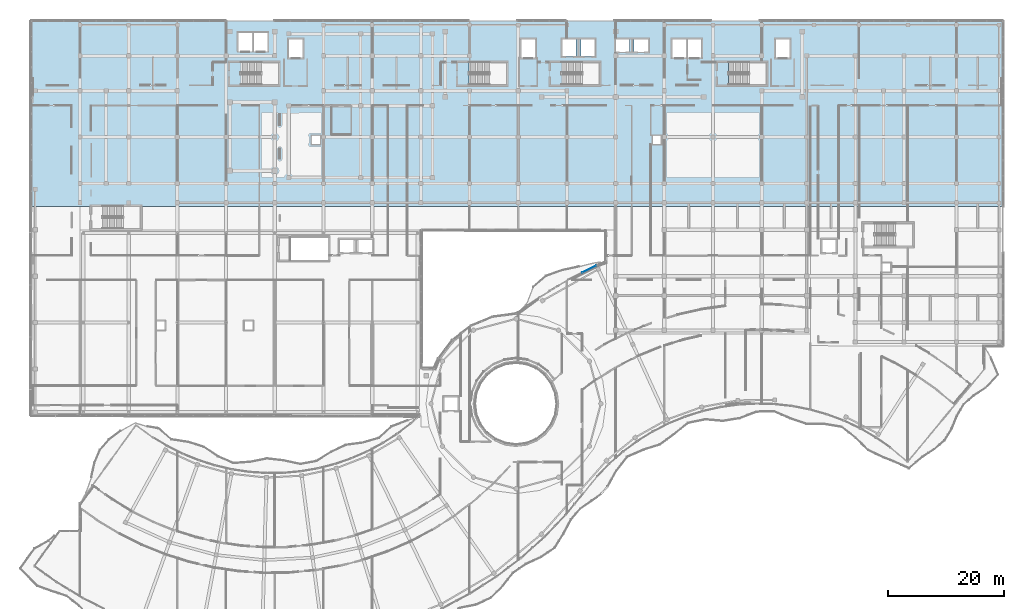
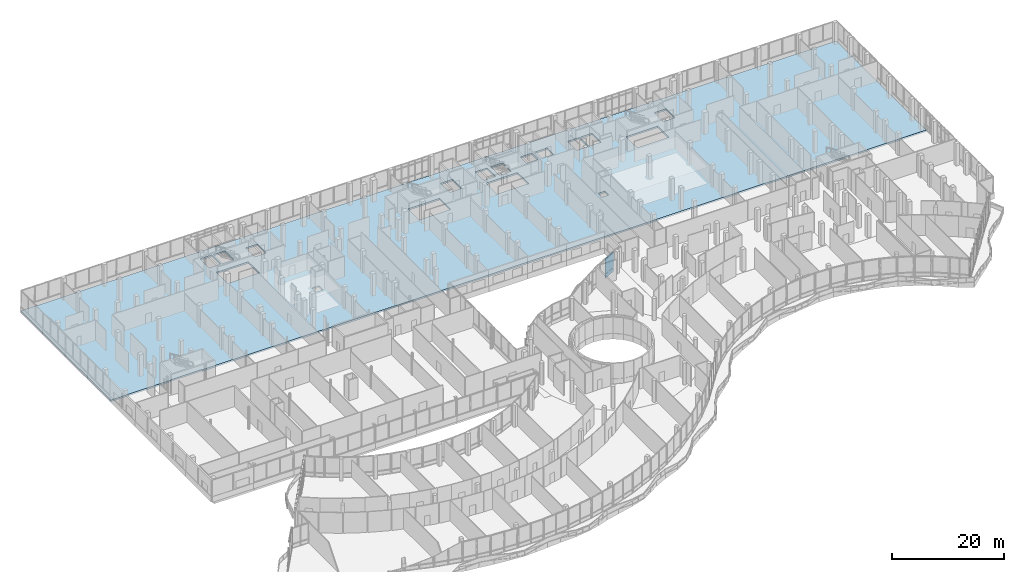
# One storey, part 124 of 155: 2 plates, 1 slab, 1 element without a shape of its own.
"""IFC4 building model written with IfcOpenShell, lengths in metres."""

from ifc_helpers import new_model, si_unit, direction, frame, origin, origin_2d, place, context, subcontext, project, spatial, polyline, rectangle, outline, extrude, material, layer, layer_set, type_object, element, aggregate, save


model = new_model("IFC4")

# Units and contexts
model_context = context("Model", 3, precision=1e-05, world=origin(), true_north=direction((0.0, 1.0)))
body_context = subcontext(model_context, "Body", "Model", "MODEL_VIEW")
ifc_project = project(units=[si_unit("LENGTHUNIT", "METRE"), si_unit("AREAUNIT", "SQUARE_METRE"), si_unit("VOLUMEUNIT", "CUBIC_METRE"), si_unit("PLANEANGLEUNIT", "RADIAN"), si_unit("MASSUNIT", "GRAM", prefix="KILO")], contexts=[model_context])

# Site, building, storey
site_placement = place(None, origin())
site = spatial("IfcSite", under=ifc_project, at=site_placement, CompositionType="ELEMENT")
building_placement = place(site_placement, origin())
building = spatial("IfcBuilding", under=site, at=building_placement, Name="Selatvlak General Hospital", CompositionType="ELEMENT")
storey_placement = place(building_placement, frame((0.0, 0.0, 10.199951171875)))
storey = spatial("IfcBuildingStorey", under=building, at=storey_placement, Name="L02", CompositionType="ELEMENT", Elevation=10.199951171875)

# Curtain wall, plates
ifc_material_1 = material(Name="Solar-control Low-E double glazing", Category="glass")
curtain_wall_type = type_object("IfcCurtainWallType", Name="CW-CW-01", PredefinedType="USERDEFINED", material=ifc_material_1)
curtain_wall_placement = place(storey_placement, origin())
curtain_wall = element("IfcCurtainWall", 1, at=curtain_wall_placement, inside=storey, type_object=curtain_wall_type, Name="Glazed facade curtain wall CW-L02-0355", ObjectType="UNITISED CURTAIN WALL", PredefinedType="USERDEFINED")
ifc_layer_1 = layer(ifc_material_1, 0.028076171875, Name="Solar-control Low-E double glazing", Category="glass")
ifc_layer_set_1 = layer_set([ifc_layer_1], Name="Solar-control Low-E double glazing")
plate_type = type_object("IfcPlateType", Name="CWP-01", PredefinedType="CURTAIN_PANEL", material=ifc_layer_set_1)
plate_1_placement = place(storey_placement, frame((110.6513671875, 77.23583984375, 0.06494140625), z_axis=(0.0, 0.0, 1.0), x_axis=(0.891326828077, 0.453361318983, 0.0)))
plate_1 = element("IfcPlate", 2, at=plate_1_placement, type_object=plate_type, Name="CW-01 panel 2.1", PredefinedType="CURTAIN_PANEL", context=body_context, shape_type="SweptSolid", body=[
    extrude(rectangle(XDim=2.6630859375, YDim=0.028076171875, at=origin_2d()), origin(), (0.0, 0.0, 1.0), 0.8525390625),
])
plate_2_placement = place(storey_placement, frame((110.6513671875, 77.23583984375, 0.982421875), z_axis=(0.0, 0.0, 1.0), x_axis=(0.891326828077, 0.453361318983, 0.0)))
plate_2 = element("IfcPlate", 3, at=plate_2_placement, type_object=plate_type, Name="CW-01 panel 2.2", PredefinedType="CURTAIN_PANEL", context=body_context, shape_type="SweptSolid", body=[
    extrude(rectangle(XDim=2.6630859375, YDim=0.028076171875, at=origin_2d()), origin(), (0.0, 0.0, 1.0), 3.41259765625),
])
aggregate(curtain_wall, [plate_1, plate_2])

# Slab
ifc_material_2 = material(Name="Concrete C40/50", Category="concrete")
ifc_layer_2 = layer(ifc_material_2, 0.35498046875, Name="Concrete C40/50", Category="concrete")
ifc_layer_set_2 = layer_set([ifc_layer_2], Name="Concrete C40/50")
slab_type = type_object("IfcSlabType", Name="SLAB-SL-FL2", PredefinedType="FLOOR", material=ifc_layer_set_2)
slab_placement = place(storey_placement, frame((0.0, 0.0, -0.35498046875)))
element("IfcSlab", 4, at=slab_placement, inside=storey, type_object=slab_type, Name="L02 V5N structural slab", PredefinedType="FLOOR", context=body_context, shape_type="SweptSolid", body=[
    extrude(outline(polyline([(33.199951171875, 88.008056640625), (33.199951171875, 88.139892578125), (26.705078125, 88.139892578125), (26.705078125, 88.008056640625), (14.39990234375, 88.008056640625), (14.39990234375, 120.0), (182.0, 120.0), (182.0, 88.0), (33.199951171875, 88.008056640625)]), holes=[polyline([(57.050048828125, 112.93994140625), (50.554931640625, 112.93994140625), (50.554931640625, 109.0), (57.050048828125, 109.0), (57.050048828125, 112.93994140625)]), polyline([(96.39990234375, 109.0), (96.39990234375, 112.93994140625), (89.905029296875, 112.93994140625), (89.905029296875, 109.0), (96.39990234375, 109.0)]), polyline([(105.905029296875, 109.0), (112.39990234375, 109.0), (112.39990234375, 112.93994140625), (105.905029296875, 112.93994140625), (105.905029296875, 109.0)]), polyline([(134.705078125, 112.93994140625), (134.705078125, 109.0), (141.199951171875, 109.0), (141.199951171875, 112.93994140625), (134.705078125, 112.93994140625)]), polyline([(61.199951171875, 116.89990234375), (58.800048828125, 116.89990234375), (58.800048828125, 113.699951171875), (61.199951171875, 113.699951171875), (61.199951171875, 116.89990234375)]), polyline([(101.300048828125, 113.699951171875), (101.300048828125, 116.89990234375), (98.89990234375, 116.89990234375), (98.89990234375, 113.699951171875), (101.300048828125, 113.699951171875)]), polyline([(142.800048828125, 113.699951171875), (145.199951171875, 113.699951171875), (145.199951171875, 116.89990234375), (142.800048828125, 116.89990234375), (142.800048828125, 113.699951171875)]), polyline([(50.10009765625, 118.0), (50.10009765625, 114.800048828125), (52.5, 114.800048828125), (52.5, 118.0), (50.10009765625, 118.0)]), polyline([(55.14990234375, 118.0), (52.75, 118.0), (52.75, 114.800048828125), (55.14990234375, 114.800048828125), (55.14990234375, 118.0)]), polyline([(127.35009765625, 113.699951171875), (127.35009765625, 116.89990234375), (124.949951171875, 116.89990234375), (124.949951171875, 113.699951171875), (127.35009765625, 113.699951171875)]), polyline([(127.60009765625, 113.699951171875), (130.0, 113.699951171875), (130.0, 116.89990234375), (127.60009765625, 116.89990234375), (127.60009765625, 113.699951171875)]), polyline([(115.199951171875, 116.89990234375), (115.199951171875, 114.699951171875), (117.60009765625, 114.699951171875), (117.60009765625, 116.89990234375), (115.199951171875, 116.89990234375)]), polyline([(120.800048828125, 116.89990234375), (118.39990234375, 116.89990234375), (118.39990234375, 114.699951171875), (120.800048828125, 114.699951171875), (120.800048828125, 116.89990234375)]), polyline([(108.39990234375, 113.89990234375), (108.39990234375, 116.89990234375), (106.0, 116.89990234375), (106.0, 113.89990234375), (108.39990234375, 113.89990234375)]), polyline([(109.199951171875, 113.89990234375), (111.60009765625, 113.89990234375), (111.60009765625, 116.89990234375), (109.199951171875, 116.89990234375), (109.199951171875, 113.89990234375)]), polyline([(62.800048828125, 100.199951171875), (62.800048828125, 98.800048828125), (64.199951171875, 98.800048828125), (64.199951171875, 100.199951171875), (62.800048828125, 100.199951171875)]), polyline([(123.0, 100.199951171875), (121.60009765625, 100.199951171875), (121.60009765625, 98.800048828125), (123.0, 98.800048828125), (123.0, 100.199951171875)])]), origin(), (0.0, 0.0, 1.0), 0.35498046875),
])

save(model, "model.ifc")
